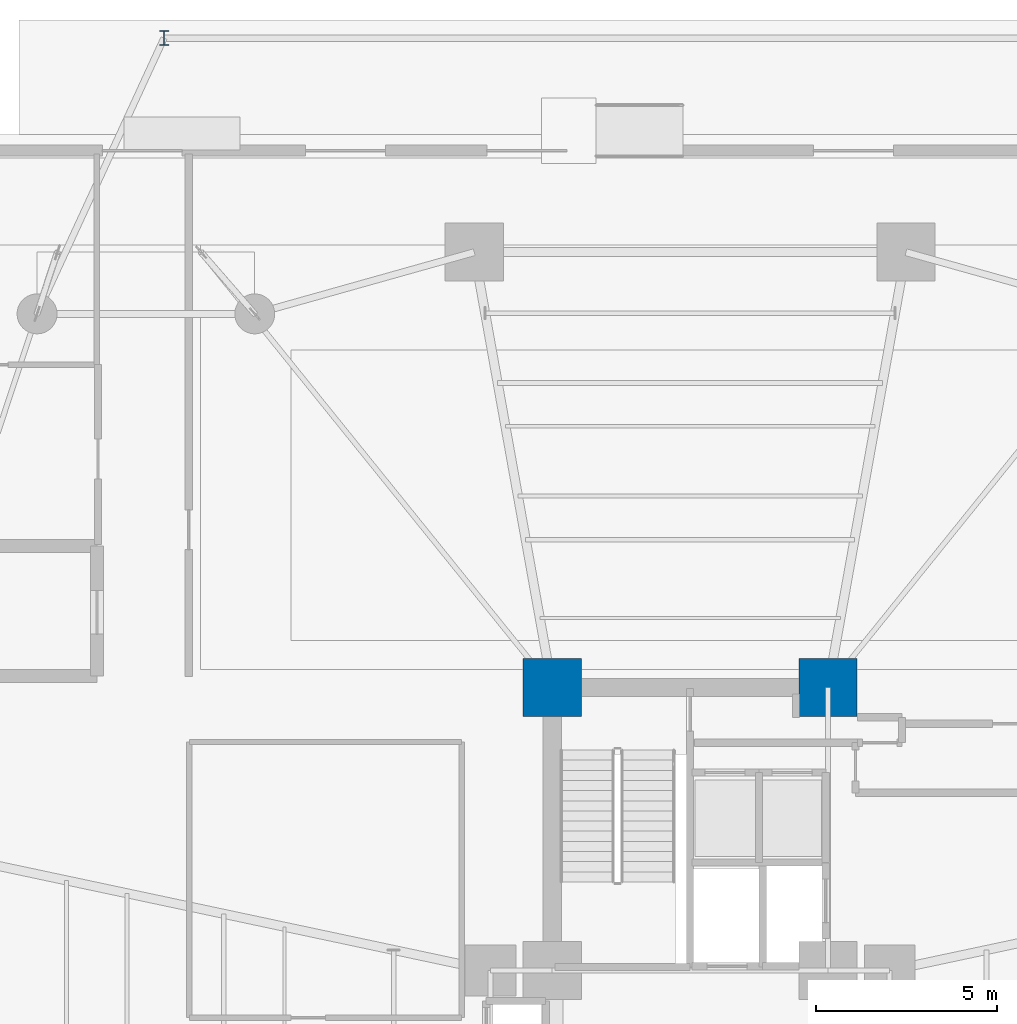
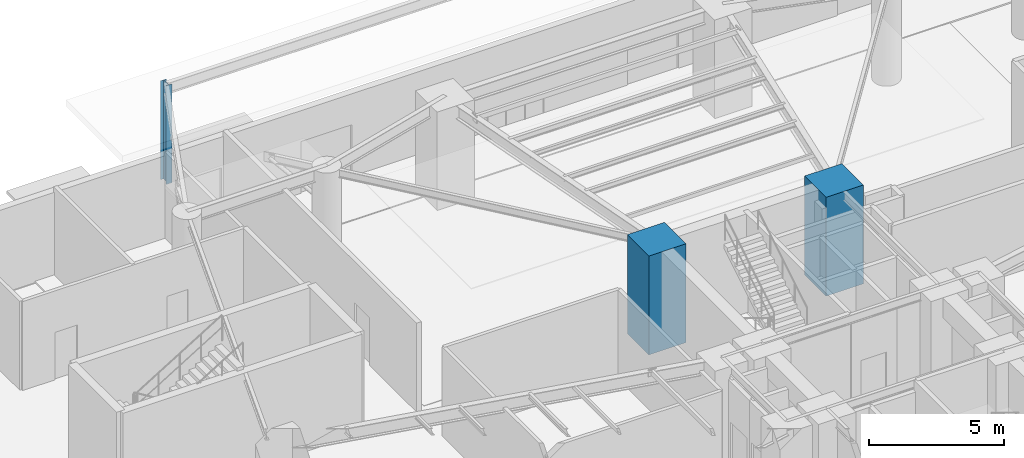
# One storey, part 6 of 31: 3 columns.
"""IFC4 building model written with IfcOpenShell, lengths in metres."""

from ifc_helpers import new_model, si_unit, direction, frame, origin, origin_2d, place, context, subcontext, project, spatial, rectangle, i_section, extrude, source, transform, mapped, material, material_profile, profile_set, type_object, element, save


model = new_model("IFC4")

# Units and contexts
model_context = context("Model", 3, precision=1e-05, world=origin(), true_north=direction((0.0, 1.0)))
body_context = subcontext(model_context, "Body", "Model", "MODEL_VIEW")
ifc_project = project(units=[si_unit("LENGTHUNIT", "METRE"), si_unit("AREAUNIT", "SQUARE_METRE"), si_unit("VOLUMEUNIT", "CUBIC_METRE"), si_unit("PLANEANGLEUNIT", "RADIAN"), si_unit("MASSUNIT", "GRAM", prefix="KILO")], contexts=[model_context])

# Site, building, storey
site_placement = place(None, origin())
site = spatial("IfcSite", under=ifc_project, at=site_placement, CompositionType="ELEMENT")
building_placement = place(site_placement, origin())
building = spatial("IfcBuilding", under=site, at=building_placement, Name="Sahyath Konkavel Grand Hotel", CompositionType="ELEMENT")
storey_placement = place(building_placement, origin())
storey = spatial("IfcBuildingStorey", under=building, at=storey_placement, Name="L00", CompositionType="ELEMENT", Elevation=0.0)

# Columns
ifc_material_1 = material(Name="Concrete C70/85", Category="concrete")
ifc_material_profile_1 = material_profile(ifc_material_1, rectangle(XDim=1.60009765625, YDim=1.60009765625, at=origin_2d()), Name="RC 1600x1600")
ifc_profile_set_1 = profile_set([ifc_material_profile_1], Name="Concrete C70/85")
column_type_1 = type_object("IfcColumnType", Name="COL-RC1600", PredefinedType="COLUMN", material=ifc_profile_set_1)
shared_shape_1 = source(origin(), body_context, "Body", "SweptSolid", [
    extrude(rectangle(XDim=1.60009765625, YDim=1.60009765625, at=origin_2d()), origin(), (0.0, 0.0, 1.0), 4.47998046875),
])
for number, where, z_axis, x_axis, name in (
    (1, (-3.800048828125, 10.199951171875, 0.0), (0.0, 0.0, 1.0), (1.0, 0.0, 0.0), "L00 Core Boundary Column NC-NW"),
    (2, (3.800048828125, 10.199951171875, 0.0), (0.0, 0.0, 1.0), (1.0, 0.0, 0.0), "L00 Core Boundary Column NC-NE"),
):
    element("IfcColumn", number, at=place(storey_placement, frame(where, z_axis=z_axis, x_axis=x_axis)), inside=storey, type_object=column_type_1, Name=name, PredefinedType="COLUMN", context=body_context, shape_type="MappedRepresentation", body=[
        mapped(shared_shape_1, transform((0.0, 0.0, 0.0), scale=1.0)),
    ])
ifc_material_2 = material(Name="Steel E350", Category="steel")
ifc_material_profile_2 = material_profile(ifc_material_2, i_section(OverallWidth=0.25, OverallDepth=0.39990234375, WebThickness=0.0126953125, FlangeThickness=0.0126953125, FilletRadius=0.013916015625, at=origin_2d()), Name="ISHB 400")
ifc_profile_set_2 = profile_set([ifc_material_profile_2], Name="Steel E350")
column_type_2 = type_object("IfcColumnType", Name="COL-ISHB400", PredefinedType="COLUMN", material=ifc_profile_set_2)
shared_shape_2 = source(origin(), body_context, "Body", "SweptSolid", [
    extrude(i_section(OverallWidth=0.25, OverallDepth=0.39990234375, WebThickness=0.0126953125, FlangeThickness=0.0126953125, FilletRadius=0.013916015625, at=origin_2d()), origin(), (0.0, 0.0, 1.0), 4.47998046875),
])
column_placement = place(storey_placement, frame((-14.5, 28.10009765625, 0.0), z_axis=(0.0, 0.0, 1.0), x_axis=(1.0, 0.0, 0.0)))
element("IfcColumn", 3, at=column_placement, inside=storey, type_object=column_type_2, Name="L00 Metro Portal Wing Column PW-N1", PredefinedType="COLUMN", context=body_context, shape_type="MappedRepresentation", body=[
    mapped(shared_shape_2, transform((0.0, 0.0, 0.0), scale=1.0)),
])

save(model, "model.ifc")
